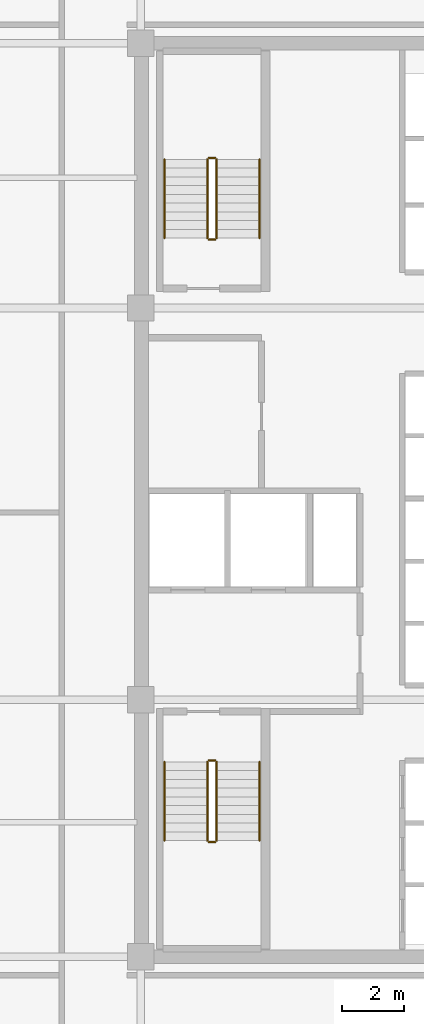
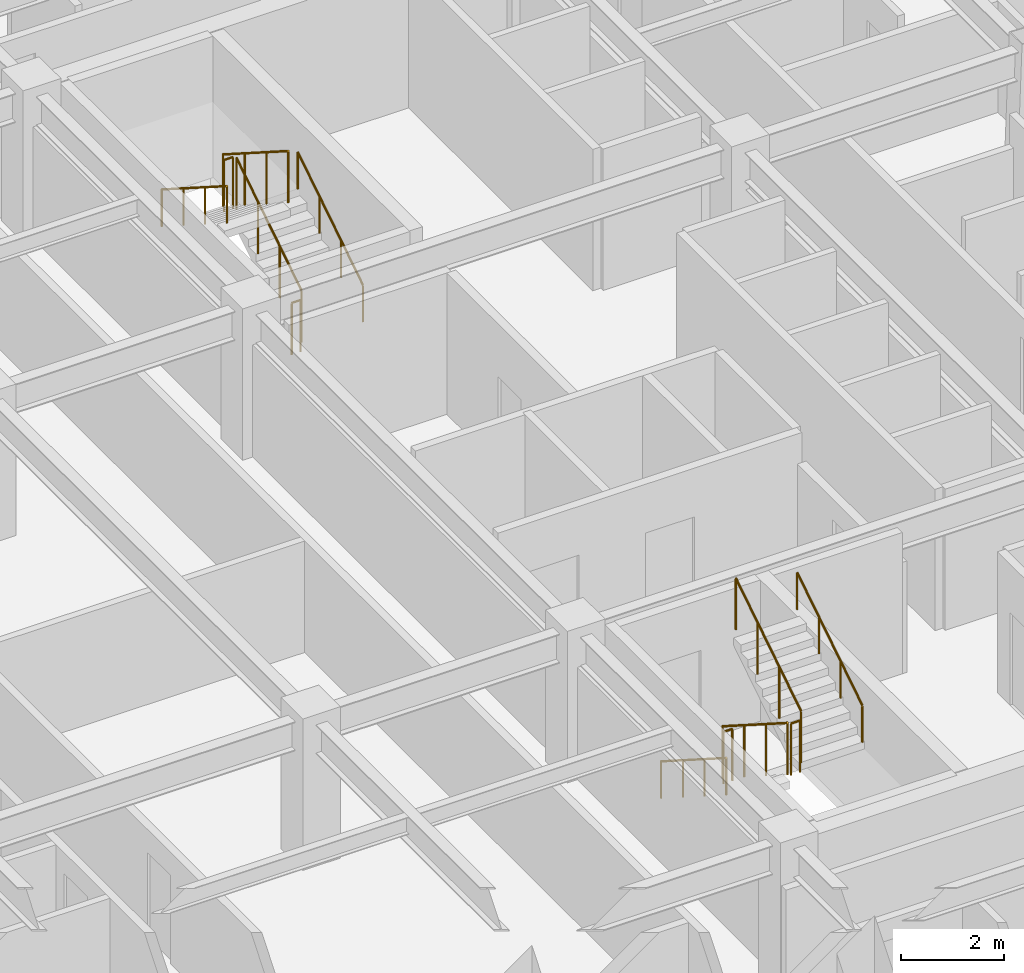
# One storey, part 12 of 12: 12 railings.
"""IFC4 building model written with IfcOpenShell, lengths in metres."""

from ifc_helpers import new_model, si_unit, direction, frame, origin, origin_2d, place, context, subcontext, project, spatial, circle, extrude, material, type_object, element, save


model = new_model("IFC4")

# Units and contexts
model_context = context("Model", 3, precision=1e-05, world=origin(), true_north=direction((0.0, 1.0)))
body_context = subcontext(model_context, "Body", "Model", "MODEL_VIEW")
ifc_project = project(units=[si_unit("LENGTHUNIT", "METRE"), si_unit("AREAUNIT", "SQUARE_METRE"), si_unit("VOLUMEUNIT", "CUBIC_METRE"), si_unit("PLANEANGLEUNIT", "RADIAN"), si_unit("MASSUNIT", "GRAM", prefix="KILO")], contexts=[model_context])

# Site, building, storey
site_placement = place(None, origin())
site = spatial("IfcSite", under=ifc_project, at=site_placement, CompositionType="ELEMENT")
building_placement = place(site_placement, origin())
building = spatial("IfcBuilding", under=site, at=building_placement, Name="Ochreholt Gables", CompositionType="ELEMENT")
storey_placement = place(building_placement, frame((0.0, 0.0, 45.60009765625)))
storey = spatial("IfcBuildingStorey", under=building, at=storey_placement, Name="L11", CompositionType="ELEMENT", Elevation=45.60009765625)

# Railings
ifc_material_1 = material(Name="Painted Steel Stair Guardrail", Category="steel")
railing_type_1 = type_object("IfcRailingType", Name="RL-ST-GUARD", PredefinedType="GUARDRAIL", material=ifc_material_1)
railing_1_placement = place(storey_placement, frame((26.35009765625, 15.5400390625, 0.179931640625)))
element("IfcRailing", 1, at=railing_1_placement, inside=storey, type_object=railing_type_1, Name="L11 ST-1 stair guard 1", PredefinedType="GUARDRAIL", context=body_context, shape_type="SweptSolid", body=[
    extrude(circle(Radius=0.02392578125, at=origin_2d()), frame((0.0, 0.0, 1.22607421875), z_axis=(0.0, -0.842949592929, 0.537992549931), x_axis=(1.0, 0.0, 0.0)), (0.0, 0.0, 1.0), 3.010986328125),
    extrude(circle(Radius=0.02099609375, at=origin_2d()), origin(), (0.0, 0.0, 1.0), 1.201904296875),
    extrude(circle(Radius=0.02099609375, at=origin_2d()), frame((0.0, -0.845947265625, 0.5400390625)), (0.0, 0.0, 1.0), 1.201904296875),
    extrude(circle(Radius=0.02099609375, at=origin_2d()), frame((0.0, -1.692138671875, 1.079833984375)), (0.0, 0.0, 1.0), 1.201904296875),
    extrude(circle(Radius=0.02099609375, at=origin_2d()), frame((0.0, -2.5380859375, 1.619873046875)), (0.0, 0.0, 1.0), 1.201904296875),
])
railing_2_placement = place(storey_placement, frame((26.39990234375, 12.951904296875, 1.7998046875)))
element("IfcRailing", 2, at=railing_2_placement, inside=storey, type_object=railing_type_1, Name="L11 ST-1 stair guard 2", PredefinedType="GUARDRAIL", context=body_context, shape_type="SweptSolid", body=[
    extrude(circle(Radius=0.02392578125, at=origin_2d()), frame((0.0, 0.0, 1.22607421875), z_axis=(1.0, 0.0, 0.0), x_axis=(0.0, 1.0, 0.0)), (0.0, 0.0, 1.0), 0.2001953125),
    extrude(circle(Radius=0.02099609375, at=origin_2d()), origin(), (0.0, 0.0, 1.0), 1.201904296875),
    extrude(circle(Radius=0.02099609375, at=origin_2d()), frame((0.2001953125, 0.0, 0.0)), (0.0, 0.0, 1.0), 1.201904296875),
])
railing_3_placement = place(storey_placement, frame((26.64990234375, 13.001953125, 1.97998046875)))
element("IfcRailing", 3, at=railing_3_placement, inside=storey, type_object=railing_type_1, Name="L11 ST-1 stair guard 3", PredefinedType="GUARDRAIL", context=body_context, shape_type="SweptSolid", body=[
    extrude(circle(Radius=0.02392578125, at=origin_2d()), frame((0.0, 0.0, 1.22607421875), z_axis=(0.0, 0.842949592929, 0.537992549931), x_axis=(-1.0, 0.0, 0.0)), (0.0, 0.0, 1.0), 3.010986328125),
    extrude(circle(Radius=0.02099609375, at=origin_2d()), origin(), (0.0, 0.0, 1.0), 1.201904296875),
    extrude(circle(Radius=0.02099609375, at=origin_2d()), frame((0.0, 0.845947265625, 0.5400390625)), (0.0, 0.0, 1.0), 1.201904296875),
    extrude(circle(Radius=0.02099609375, at=origin_2d()), frame((0.0, 1.692138671875, 1.079833984375)), (0.0, 0.0, 1.0), 1.201904296875),
    extrude(circle(Radius=0.02099609375, at=origin_2d()), frame((0.0, 2.5380859375, 1.619873046875)), (0.0, 0.0, 1.0), 1.201904296875),
])
railing_4_placement = place(storey_placement, frame((26.39990234375, 15.590087890625, 0.0)))
element("IfcRailing", 4, at=railing_4_placement, inside=storey, type_object=railing_type_1, Name="L11 ST-1 stair guard 4", PredefinedType="GUARDRAIL", context=body_context, shape_type="SweptSolid", body=[
    extrude(circle(Radius=0.02392578125, at=origin_2d()), frame((0.0, 0.0, 1.22607421875), z_axis=(1.0, 0.0, 0.0), x_axis=(0.0, 1.0, 0.0)), (0.0, 0.0, 1.0), 0.2001953125),
    extrude(circle(Radius=0.02099609375, at=origin_2d()), origin(), (0.0, 0.0, 1.0), 1.201904296875),
    extrude(circle(Radius=0.02099609375, at=origin_2d()), frame((0.2001953125, 0.0, 0.0)), (0.0, 0.0, 1.0), 1.201904296875),
])
railing_5_placement = place(storey_placement, frame((26.64990234375, 32.4599609375, 0.179931640625)))
element("IfcRailing", 5, at=railing_5_placement, inside=storey, type_object=railing_type_1, Name="L11 ST-2 stair guard 1", PredefinedType="GUARDRAIL", context=body_context, shape_type="SweptSolid", body=[
    extrude(circle(Radius=0.02392578125, at=origin_2d()), frame((0.0, 0.0, 1.22607421875), z_axis=(0.0, 0.842949592929, 0.537992549931), x_axis=(-1.0, 0.0, 0.0)), (0.0, 0.0, 1.0), 3.010986328125),
    extrude(circle(Radius=0.02099609375, at=origin_2d()), origin(), (0.0, 0.0, 1.0), 1.201904296875),
    extrude(circle(Radius=0.02099609375, at=origin_2d()), frame((0.0, 0.845947265625, 0.5400390625)), (0.0, 0.0, 1.0), 1.201904296875),
    extrude(circle(Radius=0.02099609375, at=origin_2d()), frame((0.0, 1.692138671875, 1.079833984375)), (0.0, 0.0, 1.0), 1.201904296875),
    extrude(circle(Radius=0.02099609375, at=origin_2d()), frame((0.0, 2.5380859375, 1.619873046875)), (0.0, 0.0, 1.0), 1.201904296875),
])
railing_6_placement = place(storey_placement, frame((26.60009765625, 35.048095703125, 1.7998046875)))
element("IfcRailing", 6, at=railing_6_placement, inside=storey, type_object=railing_type_1, Name="L11 ST-2 stair guard 2", PredefinedType="GUARDRAIL", context=body_context, shape_type="SweptSolid", body=[
    extrude(circle(Radius=0.02392578125, at=origin_2d()), frame((0.0, 0.0, 1.22607421875), z_axis=(-1.0, 0.0, 0.0), x_axis=(0.0, -1.0, 0.0)), (0.0, 0.0, 1.0), 0.2001953125),
    extrude(circle(Radius=0.02099609375, at=origin_2d()), origin(), (0.0, 0.0, 1.0), 1.201904296875),
    extrude(circle(Radius=0.02099609375, at=origin_2d()), frame((-0.2001953125, 0.0, 0.0)), (0.0, 0.0, 1.0), 1.201904296875),
])
railing_7_placement = place(storey_placement, frame((26.35009765625, 34.998046875, 1.97998046875)))
element("IfcRailing", 7, at=railing_7_placement, inside=storey, type_object=railing_type_1, Name="L11 ST-2 stair guard 3", PredefinedType="GUARDRAIL", context=body_context, shape_type="SweptSolid", body=[
    extrude(circle(Radius=0.02392578125, at=origin_2d()), frame((0.0, 0.0, 1.22607421875), z_axis=(0.0, -0.842949592929, 0.537992549931), x_axis=(1.0, 0.0, 0.0)), (0.0, 0.0, 1.0), 3.010986328125),
    extrude(circle(Radius=0.02099609375, at=origin_2d()), origin(), (0.0, 0.0, 1.0), 1.201904296875),
    extrude(circle(Radius=0.02099609375, at=origin_2d()), frame((0.0, -0.845947265625, 0.5400390625)), (0.0, 0.0, 1.0), 1.201904296875),
    extrude(circle(Radius=0.02099609375, at=origin_2d()), frame((0.0, -1.692138671875, 1.079833984375)), (0.0, 0.0, 1.0), 1.201904296875),
    extrude(circle(Radius=0.02099609375, at=origin_2d()), frame((0.0, -2.5380859375, 1.619873046875)), (0.0, 0.0, 1.0), 1.201904296875),
])
railing_8_placement = place(storey_placement, frame((26.60009765625, 32.409912109375, 0.0)))
element("IfcRailing", 8, at=railing_8_placement, inside=storey, type_object=railing_type_1, Name="L11 ST-2 stair guard 4", PredefinedType="GUARDRAIL", context=body_context, shape_type="SweptSolid", body=[
    extrude(circle(Radius=0.02392578125, at=origin_2d()), frame((0.0, 0.0, 1.22607421875), z_axis=(-1.0, 0.0, 0.0), x_axis=(0.0, -1.0, 0.0)), (0.0, 0.0, 1.0), 0.2001953125),
    extrude(circle(Radius=0.02099609375, at=origin_2d()), origin(), (0.0, 0.0, 1.0), 1.201904296875),
    extrude(circle(Radius=0.02099609375, at=origin_2d()), frame((-0.2001953125, 0.0, 0.0)), (0.0, 0.0, 1.0), 1.201904296875),
])
ifc_material_2 = material(Name="Brushed Stainless Steel Wall Handrail", Category="steel")
railing_type_2 = type_object("IfcRailingType", Name="RL-ST-HAND", PredefinedType="HANDRAIL", material=ifc_material_2)
railing_9_placement = place(storey_placement, frame((24.969970703125, 15.5400390625, 0.179931640625)))
element("IfcRailing", 9, at=railing_9_placement, inside=storey, type_object=railing_type_2, Name="L11 ST-1 stair handrail 1", PredefinedType="HANDRAIL", context=body_context, shape_type="SweptSolid", body=[
    extrude(circle(Radius=0.02392578125, at=origin_2d()), frame((0.0, 0.0, 0.8759765625), z_axis=(0.0, -0.842949592929, 0.537992549931), x_axis=(1.0, 0.0, 0.0)), (0.0, 0.0, 1.0), 3.010986328125),
    extrude(circle(Radius=0.02099609375, at=origin_2d()), origin(), (0.0, 0.0, 1.0), 0.851806640625),
    extrude(circle(Radius=0.02099609375, at=origin_2d()), frame((0.0, -0.845947265625, 0.5400390625)), (0.0, 0.0, 1.0), 0.851806640625),
    extrude(circle(Radius=0.02099609375, at=origin_2d()), frame((0.0, -1.692138671875, 1.079833984375)), (0.0, 0.0, 1.0), 0.851806640625),
    extrude(circle(Radius=0.02099609375, at=origin_2d()), frame((0.0, -2.5380859375, 1.619873046875)), (0.0, 0.0, 1.0), 0.851806640625),
])
for number, where, name in (
    (10, (28.030029296875, 13.001953125, 1.97998046875), "L11 ST-1 stair handrail 2"),
    (11, (28.030029296875, 32.4599609375, 0.179931640625), "L11 ST-2 stair handrail 1"),
):
    element("IfcRailing", number, at=place(storey_placement, frame(where)), inside=storey, type_object=railing_type_2, Name=name, PredefinedType="HANDRAIL", context=body_context, shape_type="SweptSolid", body=[
        extrude(circle(Radius=0.02392578125, at=origin_2d()), frame((0.0, 0.0, 0.8759765625), z_axis=(0.0, 0.842949592929, 0.537992549931), x_axis=(-1.0, 0.0, 0.0)), (0.0, 0.0, 1.0), 3.010986328125),
        extrude(circle(Radius=0.02099609375, at=origin_2d()), origin(), (0.0, 0.0, 1.0), 0.851806640625),
        extrude(circle(Radius=0.02099609375, at=origin_2d()), frame((0.0, 0.845947265625, 0.5400390625)), (0.0, 0.0, 1.0), 0.851806640625),
        extrude(circle(Radius=0.02099609375, at=origin_2d()), frame((0.0, 1.692138671875, 1.079833984375)), (0.0, 0.0, 1.0), 0.851806640625),
        extrude(circle(Radius=0.02099609375, at=origin_2d()), frame((0.0, 2.5380859375, 1.619873046875)), (0.0, 0.0, 1.0), 0.851806640625),
    ])
railing_10_placement = place(storey_placement, frame((24.969970703125, 34.998046875, 1.97998046875)))
element("IfcRailing", 12, at=railing_10_placement, inside=storey, type_object=railing_type_2, Name="L11 ST-2 stair handrail 2", PredefinedType="HANDRAIL", context=body_context, shape_type="SweptSolid", body=[
    extrude(circle(Radius=0.02392578125, at=origin_2d()), frame((0.0, 0.0, 0.8759765625), z_axis=(0.0, -0.842949592929, 0.537992549931), x_axis=(1.0, 0.0, 0.0)), (0.0, 0.0, 1.0), 3.010986328125),
    extrude(circle(Radius=0.02099609375, at=origin_2d()), origin(), (0.0, 0.0, 1.0), 0.851806640625),
    extrude(circle(Radius=0.02099609375, at=origin_2d()), frame((0.0, -0.845947265625, 0.5400390625)), (0.0, 0.0, 1.0), 0.851806640625),
    extrude(circle(Radius=0.02099609375, at=origin_2d()), frame((0.0, -1.692138671875, 1.079833984375)), (0.0, 0.0, 1.0), 0.851806640625),
    extrude(circle(Radius=0.02099609375, at=origin_2d()), frame((0.0, -2.5380859375, 1.619873046875)), (0.0, 0.0, 1.0), 0.851806640625),
])

save(model, "model.ifc")
